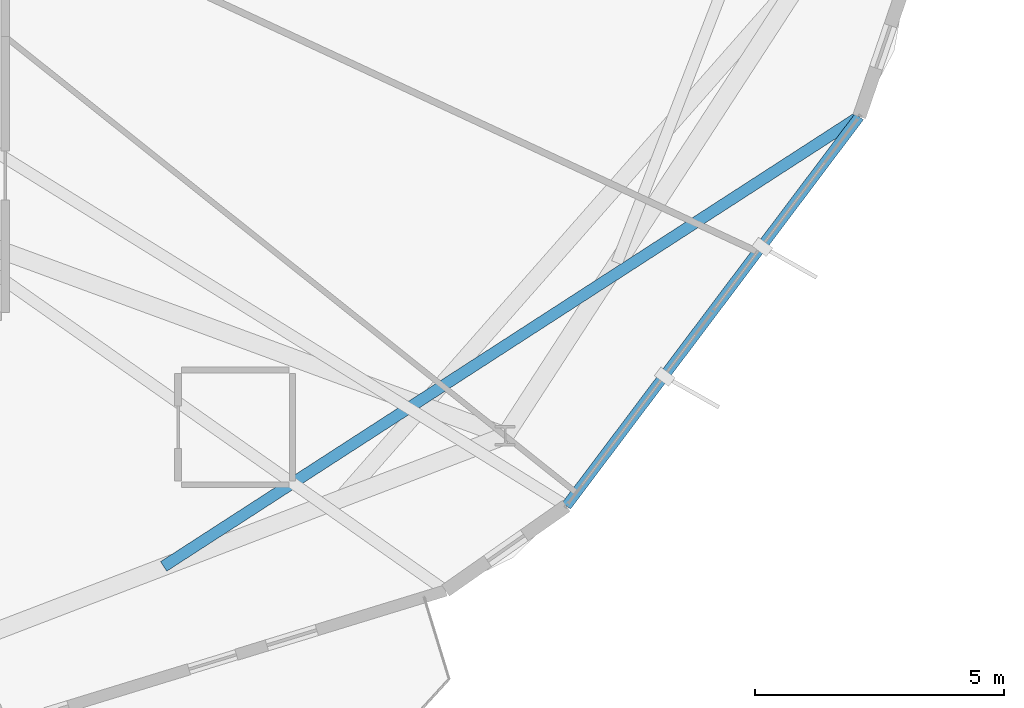
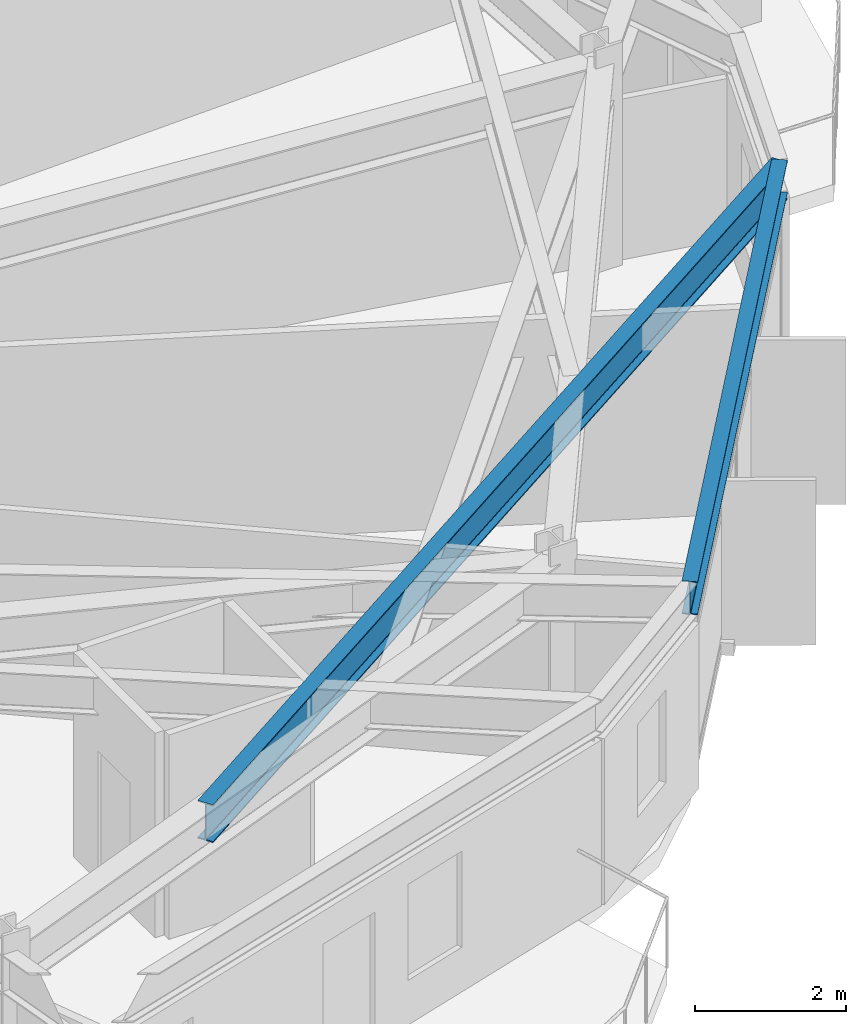
# One storey, part 9 of 29: 2 beams.
"""IFC4 building model written with IfcOpenShell, lengths in metres."""

from ifc_helpers import new_model, si_unit, direction, frame, origin, origin_2d, place, context, subcontext, project, spatial, i_section, extrude, material, material_profile, profile_set, type_object, element, save


model = new_model("IFC4")

# Units and contexts
model_context = context("Model", 3, precision=1e-05, world=origin(), true_north=direction((0.0, 1.0)))
body_context = subcontext(model_context, "Body", "Model", "MODEL_VIEW")
ifc_project = project(units=[si_unit("LENGTHUNIT", "METRE"), si_unit("AREAUNIT", "SQUARE_METRE"), si_unit("VOLUMEUNIT", "CUBIC_METRE"), si_unit("PLANEANGLEUNIT", "RADIAN"), si_unit("MASSUNIT", "GRAM", prefix="KILO")], contexts=[model_context])

# Site, building, storey
site_placement = place(None, origin())
site = spatial("IfcSite", under=ifc_project, at=site_placement, CompositionType="ELEMENT")
building_placement = place(site_placement, origin())
building = spatial("IfcBuilding", under=site, at=building_placement, Name="Soratama Intermodal Tower", CompositionType="ELEMENT")
storey_placement = place(building_placement, frame((0.0, 0.0, 226.60009765625)))
storey = spatial("IfcBuildingStorey", under=building, at=storey_placement, Name="L57", CompositionType="ELEMENT", Elevation=226.60009765625)

# Beams
ifc_material_1 = material(Name="Structural steel ASTM A992 Grade 50", Category="steel")
ifc_material_profile_1 = material_profile(ifc_material_1, i_section(OverallWidth=0.2099609375, OverallDepth=0.537109375, WebThickness=0.010986328125, FlangeThickness=0.017333984375, FilletRadius=0.012939453125, at=origin_2d()), Name="W21X68")
ifc_profile_set_1 = profile_set([ifc_material_profile_1], Name="Structural steel ASTM A992 Grade 50")
beam_type_1 = type_object("IfcBeamType", Name="BM-SPN-W21X68", PredefinedType="SPANDREL", material=ifc_profile_set_1)
beam_1_placement = place(storey_placement, frame((57.93701171875, 9.134033203125, 3.031494140625), z_axis=(0.601255146087, 0.799057100152, 0.0), x_axis=(-0.799057100152, 0.601255146087, 0.0)))
element("IfcBeam", 1, at=beam_1_placement, inside=storey, type_object=beam_type_1, Name="BS-L57-F08", PredefinedType="SPANDREL", context=body_context, shape_type="SweptSolid", body=[
    extrude(i_section(OverallWidth=0.2099609375, OverallDepth=0.537109375, WebThickness=0.010986328125, FlangeThickness=0.017333984375, FilletRadius=0.012939453125, at=origin_2d()), origin(), (0.0, 0.0, 1.0), 9.797607421875),
])
ifc_material_2 = material(Name="Structural steel ASTM A992 Grade 50", Category="steel")
ifc_material_profile_2 = material_profile(ifc_material_2, i_section(OverallWidth=0.22900390625, OverallDepth=0.612060546875, WebThickness=0.011962890625, FlangeThickness=0.01953125, FilletRadius=0.012939453125, at=origin_2d()), Name="W24X84")
ifc_profile_set_2 = profile_set([ifc_material_profile_2], Name="Structural steel ASTM A992 Grade 50")
beam_type_2 = type_object("IfcBeamType", Name="BM-TIE-W24X84", PredefinedType="BEAM", material=ifc_profile_set_2)
beam_2_placement = place(storey_placement, frame((49.839111328125, 7.91796875, 2.993896484375), z_axis=(0.839751771449, 0.542970498598, 0.0), x_axis=(-0.542970498598, 0.839751771449, 0.0)))
element("IfcBeam", 2, at=beam_2_placement, inside=storey, type_object=beam_type_2, Name="BM-L57-TIE1-08", PredefinedType="BEAM", context=body_context, shape_type="SweptSolid", body=[
    extrude(i_section(OverallWidth=0.22900390625, OverallDepth=0.612060546875, WebThickness=0.011962890625, FlangeThickness=0.01953125, FilletRadius=0.012939453125, at=origin_2d()), origin(), (0.0, 0.0, 1.0), 16.658203125),
])

save(model, "model.ifc")
